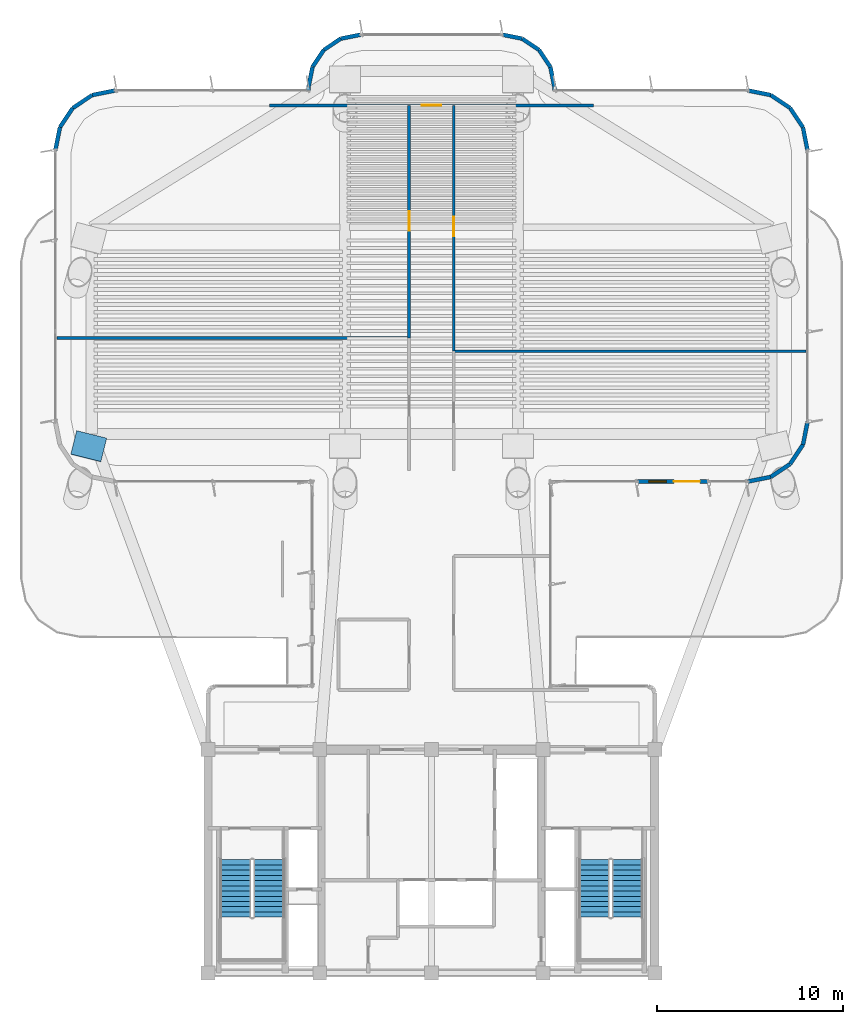
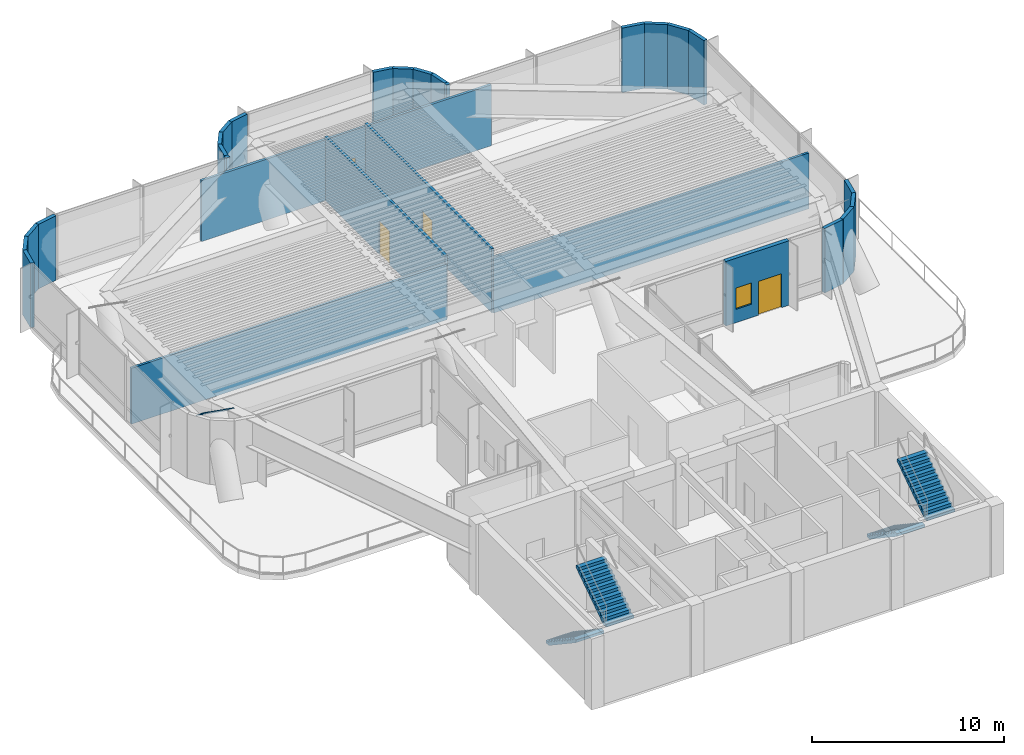
# One storey, part 10 of 13: 28 walls, 4 doors, 4 stair flights, 1 discrete accessory, 1 window, 5 openings, 2 elements without a shape of their own.
"""IFC4 building model written with IfcOpenShell, lengths in metres."""

from ifc_helpers import new_model, si_unit, direction, frame, frame_2d, origin, origin_2d, place, context, subcontext, project, spatial, polyline, rectangle, outline, extrude, source, transform, mapped, material, layer, layer_set, material_profile, profile_set, type_object, element, fill, aggregate, save


model = new_model("IFC4")

# Units and contexts
model_context = context("Model", 3, precision=1e-05, world=origin(), true_north=direction((0.0, 1.0)))
body_context = subcontext(model_context, "Body", "Model", "MODEL_VIEW")
ifc_project = project(units=[si_unit("LENGTHUNIT", "METRE"), si_unit("AREAUNIT", "SQUARE_METRE"), si_unit("VOLUMEUNIT", "CUBIC_METRE"), si_unit("PLANEANGLEUNIT", "RADIAN"), si_unit("MASSUNIT", "GRAM", prefix="KILO")], contexts=[model_context])

# Site, building, storey
site_placement = place(None, origin())
site = spatial("IfcSite", under=ifc_project, at=site_placement, CompositionType="ELEMENT")
building_placement = place(site_placement, origin())
building = spatial("IfcBuilding", under=site, at=building_placement, Name="Brelvock Crest Care Tower", CompositionType="ELEMENT")
storey_placement = place(building_placement, frame((0.0, 0.0, 151.919921875)))
storey = spatial("IfcBuildingStorey", under=building, at=storey_placement, Name="L38", CompositionType="ELEMENT", Elevation=151.919921875)

# Wall, openings, door, window
ifc_material_1 = material(Name="Precast concrete N40 (40 MPa)", Category="concrete")
ifc_layer_1 = layer(ifc_material_1, 0.239990234375, Name="WL-EX1")
ifc_layer_set_1 = layer_set([ifc_layer_1], Name="Precast concrete N40 (40 MPa)")
wall_type_1 = type_object("IfcWallType", Name="WL-EX1", PredefinedType="SOLIDWALL", material=ifc_layer_set_1)
wall_1_placement = place(storey_placement, frame((50.8720703125, 32.39990234375, 0.0), z_axis=(0.0, 0.0, 1.0), x_axis=(-1.0, 0.0, 0.0)))
wall_1 = element("IfcWall", 1, at=wall_1_placement, inside=storey, type_object=wall_type_1, Name="L38 Exterior Spandrel Wall WL-TER-L38-44", PredefinedType="SOLIDWALL", context=body_context, shape_type="SweptSolid", body=[
    extrude(rectangle(XDim=3.800048828125, YDim=0.239990234375, at=frame_2d((1.89990234375, 0.0))), origin(), (0.0, 0.0, 1.0), 4.092041015625),
])
opening_1_placement = place(wall_1_placement, frame((0.449951171875, 0.0, 0.0)))
opening_1 = element("IfcOpeningElement", 2, at=opening_1_placement, cuts=wall_1, Name="Opening TD-1", PredefinedType="OPENING", context=body_context, shape_type="SweptSolid", body=[
    extrude(rectangle(XDim=1.39990234375, YDim=2.14990234375, at=origin_2d()), frame((0.699951171875, 0.1298828125, 1.074951171875), z_axis=(0.0, -1.0, 0.0), x_axis=(1.0, 0.0, 0.0)), (0.0, 0.0, 1.0), 0.260009765625),
])
opening_2_placement = place(wall_1_placement, frame((2.25, 0.0, 0.85009765625)))
opening_2 = element("IfcOpeningElement", 3, at=opening_2_placement, cuts=wall_1, Name="Opening W-03", PredefinedType="OPENING", context=body_context, shape_type="SweptSolid", body=[
    extrude(rectangle(XDim=0.949951171875, YDim=1.35009765625, at=origin_2d()), frame((0.47509765625, 0.1298828125, 0.675048828125), z_axis=(0.0, -1.0, 0.0), x_axis=(1.0, 0.0, 0.0)), (0.0, 0.0, 1.0), 0.260009765625),
])
ifc_material_2 = material(Name="Dark Glass Double Glazed Low-E", Category="glass")
door_type_1 = type_object("IfcDoorType", Name="DR-TER1", OperationType="NOTDEFINED", PredefinedType="DOOR", material=ifc_material_2)
shared_shape_1 = source(origin(), body_context, "Body", "SweptSolid", [
    extrude(rectangle(XDim=1.39990234375, YDim=2.14990234375, at=origin_2d()), frame((0.699951171875, 0.02490234375, 1.074951171875), z_axis=(0.0, -1.0, 0.0), x_axis=(1.0, 0.0, 0.0)), (0.0, 0.0, 1.0), 0.050048828125),
])
door_1_placement = place(opening_1_placement, origin())
door_1 = element("IfcDoor", 4, at=door_1_placement, inside=storey, type_object=door_type_1, Name="L38 Setback Terrace Glazed Door", OperationType="SINGLE_SWING_LEFT", OverallHeight=2.14990234375, OverallWidth=1.39990234375, PredefinedType="DOOR", context=body_context, shape_type="MappedRepresentation", body=[
    mapped(shared_shape_1, transform((0.0, 0.0, 0.0), x_axis=(1.0, 0.0, 0.0), y_axis=(0.0, 1.0, 0.0), z_axis=(0.0, 0.0, 1.0), scale=1.0)),
])
fill(opening_1, door_1)
window_type = type_object("IfcWindowType", Name="WN-EX3", PartitioningType="SINGLE_PANEL", PredefinedType="WINDOW", material=ifc_material_2)
shared_shape_2 = source(origin(), body_context, "Body", "SweptSolid", [
    extrude(rectangle(XDim=0.949951171875, YDim=1.35009765625, at=origin_2d()), frame((0.47509765625, 0.030029296875, 0.675048828125), z_axis=(0.0, -1.0, 0.0), x_axis=(1.0, 0.0, 0.0)), (0.0, 0.0, 1.0), 0.06005859375),
])
window_placement = place(opening_2_placement, origin())
window = element("IfcWindow", 5, at=window_placement, inside=storey, type_object=window_type, Name="L38 Terrace Side Window", OverallHeight=1.35009765625, OverallWidth=0.949951171875, PartitioningType="SINGLE_PANEL", PredefinedType="WINDOW", context=body_context, shape_type="MappedRepresentation", body=[
    mapped(shared_shape_2, transform((0.0, 0.0, 0.0), x_axis=(1.0, 0.0, 0.0), y_axis=(0.0, 1.0, 0.0), z_axis=(0.0, 0.0, 1.0), scale=1.0)),
])
fill(opening_2, window)

# Walls
ifc_layer_2 = layer(ifc_material_1, 0.215087890625, Name="WL-EX2")
ifc_layer_set_2 = layer_set([ifc_layer_2], Name="Precast concrete N40 (40 MPa)")
wall_type_2 = type_object("IfcWallType", Name="WL-EX2", PredefinedType="SOLIDWALL", material=ifc_layer_set_2)
for number, where, z_axis, x_axis, name in (
    (6, (15.800048828125, 50.199951171875, 0.0), (0.0, 0.0, 1.0), (0.195138390419, 0.980775717779, 0.0), "L38 Rounded Corner Wall 18"),
    (7, (16.043701171875, 51.424560546875, 0.0), (0.0, 0.0, 1.0), (0.555557312883, 0.831478245117, 0.0), "L38 Rounded Corner Wall 19"),
    (8, (16.7373046875, 52.462646484375, 0.0), (0.0, 0.0, 1.0), (0.831387912822, 0.555692485475, 0.0), "L38 Rounded Corner Wall 20"),
    (9, (17.775390625, 53.156494140625, 0.0), (0.0, 0.0, 1.0), (0.980813122964, 0.194950295773, 0.0), "L38 Rounded Corner Wall 21"),
):
    element("IfcWall", number, at=place(storey_placement, frame(where, z_axis=z_axis, x_axis=x_axis)), inside=storey, type_object=wall_type_2, Name=name, PredefinedType="SOLIDWALL", context=body_context, shape_type="SweptSolid", body=[
        extrude(rectangle(XDim=1.24853515625, YDim=0.215087890625, at=frame_2d((0.624267578125, 0.0))), origin(), (0.0, 0.0, 1.0), 4.092041015625),
    ])
wall_2_placement = place(storey_placement, frame((29.39990234375, 53.39990234375, 0.0), z_axis=(0.0, 0.0, 1.0), x_axis=(0.0, 1.0, 0.0)))
element("IfcWall", 10, at=wall_2_placement, inside=storey, type_object=wall_type_2, Name="L38 Rounded Corner Wall 23", PredefinedType="SOLIDWALL", context=body_context, shape_type="SweptSolid", body=[
    extrude(rectangle(XDim=0.2001953125, YDim=0.215087890625, at=frame_2d((0.10009765625, 0.0))), origin(), (0.0, 0.0, 1.0), 4.092041015625),
])
wall_3_placement = place(storey_placement, frame((29.39990234375, 53.60009765625, 0.0), z_axis=(0.0, 0.0, 1.0), x_axis=(0.195127417394, 0.980777900945, 0.0)))
element("IfcWall", 11, at=wall_3_placement, inside=storey, type_object=wall_type_2, Name="L38 Rounded Corner Wall 24", PredefinedType="SOLIDWALL", context=body_context, shape_type="SweptSolid", body=[
    extrude(rectangle(XDim=1.09228515625, YDim=0.215087890625, at=frame_2d((0.546142578125, 0.0))), origin(), (0.0, 0.0, 1.0), 4.092041015625),
])
wall_4_placement = place(storey_placement, frame((29.613037109375, 54.67138671875, 0.0), z_axis=(0.0, 0.0, 1.0), x_axis=(0.555679482341, 0.831396603857, 0.0)))
element("IfcWall", 12, at=wall_4_placement, inside=storey, type_object=wall_type_2, Name="L38 Rounded Corner Wall 25", PredefinedType="SOLIDWALL", context=body_context, shape_type="SweptSolid", body=[
    extrude(rectangle(XDim=1.0927734375, YDim=0.215087890625, at=frame_2d((0.54638671875, 0.0))), origin(), (0.0, 0.0, 1.0), 4.092041015625),
])
for number, where, z_axis, x_axis, name in (
    (13, (30.22021484375, 55.579833984375, 0.0), (0.0, 0.0, 1.0), (0.831327592857, 0.555782721353, 0.0), "L38 Rounded Corner Wall 26"),
    (14, (31.12841796875, 56.18701171875, 0.0), (0.0, 0.0, 1.0), (0.980829143587, 0.194869677195, 0.0), "L38 Rounded Corner Wall 27"),
    (15, (39.800048828125, 56.39990234375, 0.0), (0.0, 0.0, 1.0), (0.980829143587, -0.194869677195, 0.0), "L38 Rounded Corner Wall 29"),
    (16, (40.87158203125, 56.18701171875, 0.0), (0.0, 0.0, 1.0), (0.831327592857, -0.555782721353, 0.0), "L38 Rounded Corner Wall 30"),
):
    element("IfcWall", number, at=place(storey_placement, frame(where, z_axis=z_axis, x_axis=x_axis)), inside=storey, type_object=wall_type_2, Name=name, PredefinedType="SOLIDWALL", context=body_context, shape_type="SweptSolid", body=[
        extrude(rectangle(XDim=1.092529296875, YDim=0.215087890625, at=frame_2d((0.54638671875, 0.0))), origin(), (0.0, 0.0, 1.0), 4.092041015625),
    ])
wall_5_placement = place(storey_placement, frame((41.77978515625, 55.579833984375, 0.0), z_axis=(0.0, 0.0, 1.0), x_axis=(0.555679482341, -0.831396603857, 0.0)))
element("IfcWall", 17, at=wall_5_placement, inside=storey, type_object=wall_type_2, Name="L38 Rounded Corner Wall 31", PredefinedType="SOLIDWALL", context=body_context, shape_type="SweptSolid", body=[
    extrude(rectangle(XDim=1.0927734375, YDim=0.215087890625, at=frame_2d((0.54638671875, 0.0))), origin(), (0.0, 0.0, 1.0), 4.092041015625),
])
wall_6_placement = place(storey_placement, frame((42.386962890625, 54.67138671875, 0.0), z_axis=(0.0, 0.0, 1.0), x_axis=(0.195127417394, -0.980777900945, 0.0)))
element("IfcWall", 18, at=wall_6_placement, inside=storey, type_object=wall_type_2, Name="L38 Rounded Corner Wall 32", PredefinedType="SOLIDWALL", context=body_context, shape_type="SweptSolid", body=[
    extrude(rectangle(XDim=1.09228515625, YDim=0.215087890625, at=frame_2d((0.546142578125, 0.0))), origin(), (0.0, 0.0, 1.0), 4.092041015625),
])
wall_7_placement = place(storey_placement, frame((42.60009765625, 53.60009765625, 0.0), z_axis=(0.0, 0.0, 1.0), x_axis=(0.0, -1.0, 0.0)))
element("IfcWall", 19, at=wall_7_placement, inside=storey, type_object=wall_type_2, Name="L38 Rounded Corner Wall 33", PredefinedType="SOLIDWALL", context=body_context, shape_type="SweptSolid", body=[
    extrude(rectangle(XDim=0.2001953125, YDim=0.215087890625, at=frame_2d((0.10009765625, 0.0))), origin(), (0.0, 0.0, 1.0), 4.092041015625),
])
for number, where, z_axis, x_axis, name in (
    (20, (53.0, 53.39990234375, 0.0), (0.0, 0.0, 1.0), (0.980813122964, -0.194950295773, 0.0), "L38 Rounded Corner Wall 35"),
    (21, (54.224609375, 53.156494140625, 0.0), (0.0, 0.0, 1.0), (0.831387912822, -0.555692485475, 0.0), "L38 Rounded Corner Wall 36"),
    (22, (55.2626953125, 52.462646484375, 0.0), (0.0, 0.0, 1.0), (0.555557312883, -0.831478245117, 0.0), "L38 Rounded Corner Wall 37"),
    (23, (55.956298828125, 51.424560546875, 0.0), (0.0, 0.0, 1.0), (0.195138390419, -0.980775717779, 0.0), "L38 Rounded Corner Wall 38"),
    (24, (56.199951171875, 35.60009765625, 0.0), (0.0, 0.0, 1.0), (-0.195138390419, -0.980775717779, 0.0), "L38 Rounded Corner Wall 40"),
    (25, (55.956298828125, 34.37548828125, 0.0), (0.0, 0.0, 1.0), (-0.555557312883, -0.831478245117, 0.0), "L38 Rounded Corner Wall 41"),
    (26, (55.2626953125, 33.33740234375, 0.0), (0.0, 0.0, 1.0), (-0.831387912822, -0.555692485475, 0.0), "L38 Rounded Corner Wall 42"),
    (27, (54.224609375, 32.6435546875, 0.0), (0.0, 0.0, 1.0), (-0.980775717779, -0.195138390419, 0.0), "L38 Rounded Corner Wall 43"),
):
    element("IfcWall", number, at=place(storey_placement, frame(where, z_axis=z_axis, x_axis=x_axis)), inside=storey, type_object=wall_type_2, Name=name, PredefinedType="SOLIDWALL", context=body_context, shape_type="SweptSolid", body=[
        extrude(rectangle(XDim=1.24853515625, YDim=0.215087890625, at=frame_2d((0.624267578125, 0.0))), origin(), (0.0, 0.0, 1.0), 4.092041015625),
    ])
ifc_material_3 = material(Name="Masonry Blockwork Acoustic Partition", Category="masonry")
ifc_layer_3 = layer(ifc_material_3, 0.14990234375, Name="WL-INT1")
ifc_layer_set_3 = layer_set([ifc_layer_3], Name="Masonry Blockwork Acoustic Partition")
wall_type_3 = type_object("IfcWallType", Name="WL-INT1", PredefinedType="PARTITIONING", material=ifc_layer_set_3)
for number, where, z_axis, x_axis, name in (
    (28, (37.199951171875, 39.39990234375, 0.0), (0.0, 0.0, 1.0), (1.0, 0.0, 0.0), "L38 Interior Wall WL-BX-L38-KIT-N"),
    (29, (15.8798828125, 40.10009765625, 0.0), (0.0, 0.0, 1.0), (1.0, 0.0, 0.0), "L38 Interior Wall WL-BX-L38-DIN-S"),
):
    element("IfcWall", number, at=place(storey_placement, frame(where, z_axis=z_axis, x_axis=x_axis)), inside=storey, type_object=wall_type_3, Name=name, PredefinedType="PARTITIONING", context=body_context, shape_type="SweptSolid", body=[
        extrude(rectangle(XDim=18.920166015625, YDim=0.14990234375, at=frame_2d((9.4599609375, 0.0))), origin(), (0.0, 0.0, 1.0), 3.544189453125),
    ])

# Wall, opening, door
wall_8_placement = place(storey_placement, frame((27.300048828125, 52.60009765625, 0.0), z_axis=(0.0, 0.0, 1.0), x_axis=(1.0, 0.0, 0.0)))
wall_8 = element("IfcWall", 30, at=wall_8_placement, inside=storey, type_object=wall_type_3, Name="L38 Interior Wall WL-RM-L38-NHB", PredefinedType="PARTITIONING", context=body_context, shape_type="SweptSolid", body=[
    extrude(rectangle(XDim=17.39990234375, YDim=0.14990234375, at=frame_2d((8.699951171875, 0.0))), origin(), (0.0, 0.0, 1.0), 3.8701171875),
])
opening_3_placement = place(wall_8_placement, frame((8.175048828125, 0.0, 0.0)))
opening_3 = element("IfcOpeningElement", 31, at=opening_3_placement, cuts=wall_8, Name="Opening CLD-1", PredefinedType="OPENING", context=body_context, shape_type="SweptSolid", body=[
    extrude(rectangle(XDim=1.050048828125, YDim=2.10009765625, at=origin_2d()), frame((0.52490234375, 0.0849609375, 1.050048828125), z_axis=(0.0, -1.0, 0.0), x_axis=(1.0, 0.0, 0.0)), (0.0, 0.0, 1.0), 0.169921875),
])
ifc_material_4 = material(Name="Engineered Hardwood Timber", Category="wood")
door_type_2 = type_object("IfcDoorType", Name="DR-CLN1", OperationType="NOTDEFINED", PredefinedType="DOOR", material=ifc_material_4)
shared_shape_3 = source(origin(), body_context, "Body", "SweptSolid", [
    extrude(rectangle(XDim=1.050048828125, YDim=2.10009765625, at=origin_2d()), frame((0.52490234375, 0.02490234375, 1.050048828125), z_axis=(0.0, -1.0, 0.0), x_axis=(1.0, 0.0, 0.0)), (0.0, 0.0, 1.0), 0.050048828125),
])
door_2_placement = place(opening_3_placement, origin())
door_2 = element("IfcDoor", 32, at=door_2_placement, inside=storey, type_object=door_type_2, Name="L38 Bridge View Observatory Lounge Door NHB", OperationType="SINGLE_SWING_LEFT", OverallHeight=2.10009765625, OverallWidth=1.050048828125, PredefinedType="DOOR", context=body_context, shape_type="MappedRepresentation", body=[
    mapped(shared_shape_3, transform((0.0, 0.0, 0.0), x_axis=(1.0, 0.0, 0.0), y_axis=(0.0, 1.0, 0.0), z_axis=(0.0, 0.0, 1.0), scale=1.0)),
])
fill(opening_3, door_2)

wall_9_placement = place(storey_placement, frame((34.800048828125, 40.10009765625, 0.0), z_axis=(0.0, 0.0, 1.0), x_axis=(0.0, 1.0, 0.0)))
wall_9 = element("IfcWall", 33, at=wall_9_placement, inside=storey, type_object=wall_type_3, Name="L38 Interior Wall WL-RM-L38-DIN", PredefinedType="PARTITIONING", context=body_context, shape_type="SweptSolid", body=[
    extrude(rectangle(XDim=12.5, YDim=0.14990234375, at=frame_2d((6.25, 0.0))), origin(), (0.0, 0.0, 1.0), 4.06201171875),
])
opening_4_placement = place(wall_9_placement, frame((5.77490234375, 0.0, 0.0)))
opening_4 = element("IfcOpeningElement", 34, at=opening_4_placement, cuts=wall_9, Name="Opening CLD-1", PredefinedType="OPENING", context=body_context, shape_type="SweptSolid", body=[
    extrude(rectangle(XDim=1.050048828125, YDim=2.10009765625, at=origin_2d()), frame((0.52490234375, 0.0849609375, 1.050048828125), z_axis=(0.0, -1.0, 0.0), x_axis=(1.0, 0.0, 0.0)), (0.0, 0.0, 1.0), 0.169921875),
])
door_3_placement = place(opening_4_placement, origin())
door_3 = element("IfcDoor", 35, at=door_3_placement, inside=storey, type_object=door_type_2, Name="L38 Harbour Panorama Wintergarden Salon Door DIN", OperationType="SINGLE_SWING_LEFT", OverallHeight=2.10009765625, OverallWidth=1.050048828125, PredefinedType="DOOR", context=body_context, shape_type="MappedRepresentation", body=[
    mapped(shared_shape_3, transform((0.0, 0.0, 0.0), x_axis=(1.0, 0.0, 0.0), y_axis=(0.0, 1.0, 0.0), z_axis=(0.0, 0.0, 1.0), scale=1.0)),
])
fill(opening_4, door_3)

wall_10_placement = place(storey_placement, frame((37.199951171875, 39.39990234375, 0.0), z_axis=(0.0, 0.0, 1.0), x_axis=(0.0, 1.0, 0.0)))
wall_10 = element("IfcWall", 36, at=wall_10_placement, inside=storey, type_object=wall_type_3, Name="L38 Interior Wall WL-RM-L38-LIB", PredefinedType="PARTITIONING", context=body_context, shape_type="SweptSolid", body=[
    extrude(rectangle(XDim=13.2001953125, YDim=0.14990234375, at=frame_2d((6.60009765625, 0.0))), origin(), (0.0, 0.0, 1.0), 4.06201171875),
])
opening_5_placement = place(wall_10_placement, frame((6.175048828125, 0.0, 0.0)))
opening_5 = element("IfcOpeningElement", 37, at=opening_5_placement, cuts=wall_10, Name="Opening CLD-1", PredefinedType="OPENING", context=body_context, shape_type="SweptSolid", body=[
    extrude(rectangle(XDim=1.050048828125, YDim=2.10009765625, at=origin_2d()), frame((0.52490234375, 0.0849609375, 1.050048828125), z_axis=(0.0, -1.0, 0.0), x_axis=(1.0, 0.0, 0.0)), (0.0, 0.0, 1.0), 0.169921875),
])
door_4_placement = place(opening_5_placement, origin())
door_4 = element("IfcDoor", 38, at=door_4_placement, inside=storey, type_object=door_type_2, Name="L38 Sky Reading and Chess Library Door LIB", OperationType="SINGLE_SWING_LEFT", OverallHeight=2.10009765625, OverallWidth=1.050048828125, PredefinedType="DOOR", context=body_context, shape_type="MappedRepresentation", body=[
    mapped(shared_shape_3, transform((0.0, 0.0, 0.0), x_axis=(1.0, 0.0, 0.0), y_axis=(0.0, 1.0, 0.0), z_axis=(0.0, 0.0, 1.0), scale=1.0)),
])
fill(opening_5, door_4)

# Stair, stair flights
ifc_material_5 = material(Name="Concrete N40 (40 MPa)", Category="concrete")
stair_type = type_object("IfcStairType", Name="ST-CORE1", PredefinedType="HALF_TURN_STAIR", material=ifc_material_5)
stair_1_placement = place(storey_placement, origin())
stair_1 = element("IfcStair", 39, at=stair_1_placement, inside=storey, type_object=stair_type, Name="L38 Fire-Isolated Core Stair ST-1", PredefinedType="HALF_TURN_STAIR")
stair_flight_type = type_object("IfcStairFlightType", Name="STF-1", PredefinedType="STRAIGHT", material=ifc_material_5)
stair_flight_1_placement = place(storey_placement, frame((25.469970703125, 12.080078125, 0.0), z_axis=(0.0, 0.0, 1.0), x_axis=(0.0, -1.0, 0.0)))
stair_flight_1 = element("IfcStairFlight", 40, at=stair_flight_1_placement, type_object=stair_flight_type, Name="ST-1 flight 1", NumberOfRisers=12, NumberOfTreads=11, PredefinedType="STRAIGHT", RiserHeight=0.1875, TreadLength=0.28, context=body_context, shape_type="SweptSolid", body=[
    extrude(outline(polyline([(-0.00390625, -0.014892578125), (-0.00390625, -0.0078125), (-0.00390625, -0.00048828125), (-0.00390625, 0.006591796875), (-0.00390625, 0.013916015625), (-0.00390625, 0.021240234375), (-0.00390625, 0.0283203125), (-0.00390625, 0.03564453125), (-0.00390625, 0.04296875), (-0.00390625, 0.050048828125), (-0.00390625, 0.057373046875), (-0.00390625, 0.064453125), (-0.00390625, 0.07177734375), (-0.00390625, 0.0791015625), (-0.00390625, 0.086181640625), (-0.00390625, 0.093505859375), (-0.00390625, 0.100830078125), (-0.00390625, 0.10791015625), (-0.00390625, 0.115234375), (-0.00390625, 0.122314453125), (-0.00390625, 0.129638671875), (-0.00390625, 0.136962890625), (-0.00390625, 0.14404296875), (-0.00390625, 0.1513671875), (-0.00390625, 0.15869140625), (-0.00390625, 0.165771484375), (-0.00390625, 0.173095703125), (-0.00390625, 0.18017578125), (-0.00390625, 0.1875), (0.0, 0.1875), (0.280029296875, 0.1875), (0.280029296875, 0.375), (0.56005859375, 0.375), (0.56005859375, 0.5625), (0.840087890625, 0.5625), (0.840087890625, 0.75), (1.1201171875, 0.75), (1.1201171875, 0.9375), (1.39990234375, 0.9375), (1.39990234375, 1.125), (1.679931640625, 1.125), (1.679931640625, 1.3125), (1.9599609375, 1.3125), (1.9599609375, 1.5), (2.239990234375, 1.5), (2.239990234375, 1.6875), (2.52001953125, 1.6875), (2.52001953125, 1.875), (2.800048828125, 1.875), (2.800048828125, 2.0625), (3.080078125, 2.0625), (3.083984375, 2.0625), (3.083740234375, 2.06201171875), (3.083984375, 2.061767578125), (3.083740234375, 2.061279296875), (3.083984375, 2.06103515625), (3.083740234375, 2.060546875), (3.083984375, 2.060302734375), (3.083740234375, 2.059814453125), (3.083984375, 2.0595703125), (3.083740234375, 2.05908203125), (3.083984375, 2.058837890625), (3.083740234375, 2.058349609375), (3.083984375, 2.05810546875), (3.083740234375, 2.0576171875), (3.083984375, 2.05712890625), (3.083740234375, 2.056884765625), (3.083984375, 2.056396484375), (3.083740234375, 2.05615234375), (3.083984375, 2.0556640625), (3.083740234375, 2.055419921875), (3.083984375, 2.054931640625), (3.083740234375, 2.0546875), (3.083984375, 2.05419921875), (3.083740234375, 2.053955078125), (3.083984375, 2.053466796875), (3.083740234375, 2.05322265625), (3.083984375, 2.052734375), (3.083740234375, 2.052490234375), (3.083984375, 2.052001953125), (3.080078125, 1.882080078125), (0.26953125, 0.0), (0.0, 0.0), (0.0, -0.014892578125), (-0.00390625, -0.014892578125)])), frame((0.0, 0.83984375, 0.0), z_axis=(0.0, -1.0, 0.0), x_axis=(1.0, 0.0, 0.0)), (0.0, 0.0, 1.0), 1.679931640625),
])
stair_flight_2_placement = place(storey_placement, frame((27.27001953125, 9.0, 2.25), z_axis=(0.0, 0.0, 1.0), x_axis=(0.0, 1.0, 0.0)))
stair_flight_2 = element("IfcStairFlight", 41, at=stair_flight_2_placement, type_object=stair_flight_type, Name="ST-1 flight 2", NumberOfRisers=12, NumberOfTreads=11, PredefinedType="STRAIGHT", RiserHeight=0.1875, TreadLength=0.28, context=body_context, shape_type="SweptSolid", body=[
    extrude(outline(polyline([(-0.00390625, -0.014892578125), (-0.00390625, -0.0078125), (-0.00390625, -0.00048828125), (-0.00390625, 0.006591796875), (-0.00390625, 0.013916015625), (-0.00390625, 0.021240234375), (-0.00390625, 0.0283203125), (-0.00390625, 0.03564453125), (-0.00390625, 0.04296875), (-0.00390625, 0.050048828125), (-0.00390625, 0.057373046875), (-0.00390625, 0.064453125), (-0.00390625, 0.07177734375), (-0.00390625, 0.0791015625), (-0.00390625, 0.086181640625), (-0.00390625, 0.093505859375), (-0.00390625, 0.100830078125), (-0.00390625, 0.10791015625), (-0.00390625, 0.115234375), (-0.00390625, 0.122314453125), (-0.00390625, 0.129638671875), (-0.00390625, 0.136962890625), (-0.00390625, 0.14404296875), (-0.00390625, 0.1513671875), (-0.00390625, 0.15869140625), (-0.00390625, 0.165771484375), (-0.00390625, 0.173095703125), (-0.00390625, 0.18017578125), (-0.00390625, 0.1875), (0.0, 0.1875), (0.280029296875, 0.1875), (0.280029296875, 0.375), (0.56005859375, 0.375), (0.56005859375, 0.5625), (0.840087890625, 0.5625), (0.840087890625, 0.75), (1.1201171875, 0.75), (1.1201171875, 0.9375), (1.39990234375, 0.9375), (1.39990234375, 1.125), (1.679931640625, 1.125), (1.679931640625, 1.3125), (1.9599609375, 1.3125), (1.9599609375, 1.5), (2.239990234375, 1.5), (2.239990234375, 1.6875), (2.52001953125, 1.6875), (2.52001953125, 1.875), (2.800048828125, 1.875), (2.800048828125, 2.0625), (3.080078125, 2.0625), (3.083984375, 2.0625), (3.083740234375, 2.06201171875), (3.083984375, 2.061767578125), (3.083740234375, 2.061279296875), (3.083984375, 2.06103515625), (3.083740234375, 2.060546875), (3.083984375, 2.060302734375), (3.083740234375, 2.059814453125), (3.083984375, 2.0595703125), (3.083740234375, 2.05908203125), (3.083984375, 2.058837890625), (3.083740234375, 2.058349609375), (3.083984375, 2.05810546875), (3.083740234375, 2.0576171875), (3.083984375, 2.05712890625), (3.083740234375, 2.056884765625), (3.083984375, 2.056396484375), (3.083740234375, 2.05615234375), (3.083984375, 2.0556640625), (3.083740234375, 2.055419921875), (3.083984375, 2.054931640625), (3.083740234375, 2.0546875), (3.083984375, 2.05419921875), (3.083740234375, 2.053955078125), (3.083984375, 2.053466796875), (3.083740234375, 2.05322265625), (3.083984375, 2.052734375), (3.083740234375, 2.052490234375), (3.083984375, 2.052001953125), (3.080078125, 1.882080078125), (0.26953125, 0.0), (0.0, 0.0), (0.0, -0.014892578125), (-0.00390625, -0.014892578125)])), frame((0.0, 0.83984375, 0.0), z_axis=(0.0, -1.0, 0.0), x_axis=(1.0, 0.0, 0.0)), (0.0, 0.0, 1.0), 1.679931640625),
])
aggregate(stair_1, [stair_flight_1, stair_flight_2])

stair_2_placement = place(storey_placement, origin())
stair_2 = element("IfcStair", 42, at=stair_2_placement, inside=storey, type_object=stair_type, Name="L38 Fire-Isolated Core Stair ST-2", PredefinedType="HALF_TURN_STAIR")
stair_flight_3_placement = place(storey_placement, frame((44.72998046875, 12.080078125, 0.0), z_axis=(0.0, 0.0, 1.0), x_axis=(0.0, -1.0, 0.0)))
stair_flight_3 = element("IfcStairFlight", 43, at=stair_flight_3_placement, type_object=stair_flight_type, Name="ST-2 flight 1", NumberOfRisers=12, NumberOfTreads=11, PredefinedType="STRAIGHT", RiserHeight=0.1875, TreadLength=0.28, context=body_context, shape_type="SweptSolid", body=[
    extrude(outline(polyline([(-0.00390625, -0.014892578125), (-0.00390625, -0.0078125), (-0.00390625, -0.00048828125), (-0.00390625, 0.006591796875), (-0.00390625, 0.013916015625), (-0.00390625, 0.021240234375), (-0.00390625, 0.0283203125), (-0.00390625, 0.03564453125), (-0.00390625, 0.04296875), (-0.00390625, 0.050048828125), (-0.00390625, 0.057373046875), (-0.00390625, 0.064453125), (-0.00390625, 0.07177734375), (-0.00390625, 0.0791015625), (-0.00390625, 0.086181640625), (-0.00390625, 0.093505859375), (-0.00390625, 0.100830078125), (-0.00390625, 0.10791015625), (-0.00390625, 0.115234375), (-0.00390625, 0.122314453125), (-0.00390625, 0.129638671875), (-0.00390625, 0.136962890625), (-0.00390625, 0.14404296875), (-0.00390625, 0.1513671875), (-0.00390625, 0.15869140625), (-0.00390625, 0.165771484375), (-0.00390625, 0.173095703125), (-0.00390625, 0.18017578125), (-0.00390625, 0.1875), (0.0, 0.1875), (0.280029296875, 0.1875), (0.280029296875, 0.375), (0.56005859375, 0.375), (0.56005859375, 0.5625), (0.840087890625, 0.5625), (0.840087890625, 0.75), (1.1201171875, 0.75), (1.1201171875, 0.9375), (1.39990234375, 0.9375), (1.39990234375, 1.125), (1.679931640625, 1.125), (1.679931640625, 1.3125), (1.9599609375, 1.3125), (1.9599609375, 1.5), (2.239990234375, 1.5), (2.239990234375, 1.6875), (2.52001953125, 1.6875), (2.52001953125, 1.875), (2.800048828125, 1.875), (2.800048828125, 2.0625), (3.080078125, 2.0625), (3.083984375, 2.0625), (3.083740234375, 2.06201171875), (3.083984375, 2.061767578125), (3.083740234375, 2.061279296875), (3.083984375, 2.06103515625), (3.083740234375, 2.060546875), (3.083984375, 2.060302734375), (3.083740234375, 2.059814453125), (3.083984375, 2.0595703125), (3.083740234375, 2.05908203125), (3.083984375, 2.058837890625), (3.083740234375, 2.058349609375), (3.083984375, 2.05810546875), (3.083740234375, 2.0576171875), (3.083984375, 2.05712890625), (3.083740234375, 2.056884765625), (3.083984375, 2.056396484375), (3.083740234375, 2.05615234375), (3.083984375, 2.0556640625), (3.083740234375, 2.055419921875), (3.083984375, 2.054931640625), (3.083740234375, 2.0546875), (3.083984375, 2.05419921875), (3.083740234375, 2.053955078125), (3.083984375, 2.053466796875), (3.083740234375, 2.05322265625), (3.083984375, 2.052734375), (3.083740234375, 2.052490234375), (3.083984375, 2.052001953125), (3.080078125, 1.882080078125), (0.26953125, 0.0), (0.0, 0.0), (0.0, -0.014892578125), (-0.00390625, -0.014892578125)])), frame((0.0, 0.83984375, 0.0), z_axis=(0.0, -1.0, 0.0), x_axis=(1.0, 0.0, 0.0)), (0.0, 0.0, 1.0), 1.679931640625),
])
stair_flight_4_placement = place(storey_placement, frame((46.530029296875, 9.0, 2.25), z_axis=(0.0, 0.0, 1.0), x_axis=(0.0, 1.0, 0.0)))
stair_flight_4 = element("IfcStairFlight", 44, at=stair_flight_4_placement, type_object=stair_flight_type, Name="ST-2 flight 2", NumberOfRisers=12, NumberOfTreads=11, PredefinedType="STRAIGHT", RiserHeight=0.1875, TreadLength=0.28, context=body_context, shape_type="SweptSolid", body=[
    extrude(outline(polyline([(-0.00390625, -0.014892578125), (-0.00390625, -0.0078125), (-0.00390625, -0.00048828125), (-0.00390625, 0.006591796875), (-0.00390625, 0.013916015625), (-0.00390625, 0.021240234375), (-0.00390625, 0.0283203125), (-0.00390625, 0.03564453125), (-0.00390625, 0.04296875), (-0.00390625, 0.050048828125), (-0.00390625, 0.057373046875), (-0.00390625, 0.064453125), (-0.00390625, 0.07177734375), (-0.00390625, 0.0791015625), (-0.00390625, 0.086181640625), (-0.00390625, 0.093505859375), (-0.00390625, 0.100830078125), (-0.00390625, 0.10791015625), (-0.00390625, 0.115234375), (-0.00390625, 0.122314453125), (-0.00390625, 0.129638671875), (-0.00390625, 0.136962890625), (-0.00390625, 0.14404296875), (-0.00390625, 0.1513671875), (-0.00390625, 0.15869140625), (-0.00390625, 0.165771484375), (-0.00390625, 0.173095703125), (-0.00390625, 0.18017578125), (-0.00390625, 0.1875), (0.0, 0.1875), (0.280029296875, 0.1875), (0.280029296875, 0.375), (0.56005859375, 0.375), (0.56005859375, 0.5625), (0.840087890625, 0.5625), (0.840087890625, 0.75), (1.1201171875, 0.75), (1.1201171875, 0.9375), (1.39990234375, 0.9375), (1.39990234375, 1.125), (1.679931640625, 1.125), (1.679931640625, 1.3125), (1.9599609375, 1.3125), (1.9599609375, 1.5), (2.239990234375, 1.5), (2.239990234375, 1.6875), (2.52001953125, 1.6875), (2.52001953125, 1.875), (2.800048828125, 1.875), (2.800048828125, 2.0625), (3.080078125, 2.0625), (3.083984375, 2.0625), (3.083740234375, 2.06201171875), (3.083984375, 2.061767578125), (3.083740234375, 2.061279296875), (3.083984375, 2.06103515625), (3.083740234375, 2.060546875), (3.083984375, 2.060302734375), (3.083740234375, 2.059814453125), (3.083984375, 2.0595703125), (3.083740234375, 2.05908203125), (3.083984375, 2.058837890625), (3.083740234375, 2.058349609375), (3.083984375, 2.05810546875), (3.083740234375, 2.0576171875), (3.083984375, 2.05712890625), (3.083740234375, 2.056884765625), (3.083984375, 2.056396484375), (3.083740234375, 2.05615234375), (3.083984375, 2.0556640625), (3.083740234375, 2.055419921875), (3.083984375, 2.054931640625), (3.083740234375, 2.0546875), (3.083984375, 2.05419921875), (3.083740234375, 2.053955078125), (3.083984375, 2.053466796875), (3.083740234375, 2.05322265625), (3.083984375, 2.052734375), (3.083740234375, 2.052490234375), (3.083984375, 2.052001953125), (3.080078125, 1.882080078125), (0.26953125, 0.0), (0.0, 0.0), (0.0, -0.014892578125), (-0.00390625, -0.014892578125)])), frame((0.0, 0.83984375, 0.0), z_axis=(0.0, -1.0, 0.0), x_axis=(1.0, 0.0, 0.0)), (0.0, 0.0, 1.0), 1.679931640625),
])
aggregate(stair_2, [stair_flight_3, stair_flight_4])

# Discrete accessory
ifc_material_6 = material(Name="Steel Grade 350", Category="steel")
ifc_material_profile = material_profile(ifc_material_6, rectangle(XDim=1.659912109375, YDim=1.659912109375, at=origin_2d()), Name="ACC-CAP1")
ifc_profile_set = profile_set([ifc_material_profile], Name="Steel Grade 350")
discrete_accessory_type = type_object("IfcDiscreteAccessoryType", Name="ACC-CAP1", PredefinedType="BRACKET", material=ifc_profile_set)
shared_shape_4 = source(origin(), body_context, "Body", "SweptSolid", [
    extrude(rectangle(XDim=1.659912109375, YDim=1.659912109375, at=origin_2d()), origin(), (0.0, 0.0, 1.0), 0.024169921875),
])
discrete_accessory_placement = place(storey_placement, frame((17.588623046875, 34.287353515625, 3.658935546875), z_axis=(0.151879753436, 0.607519013744, 0.779649400972), x_axis=(-0.970142500145, 0.242535625036, 0.0)))
element("IfcDiscreteAccessory", 45, at=discrete_accessory_placement, inside=storey, type_object=discrete_accessory_type, Name="L38 Mega-Column Top End Cap Shoe M1", PredefinedType="BRACKET", context=body_context, shape_type="MappedRepresentation", body=[
    mapped(shared_shape_4, transform((0.0, 0.0, 0.0), x_axis=(1.0, 0.0, 0.0), y_axis=(0.0, 1.0, 0.0), z_axis=(0.0, 0.0, 1.0), scale=1.0)),
])

save(model, "model.ifc")
